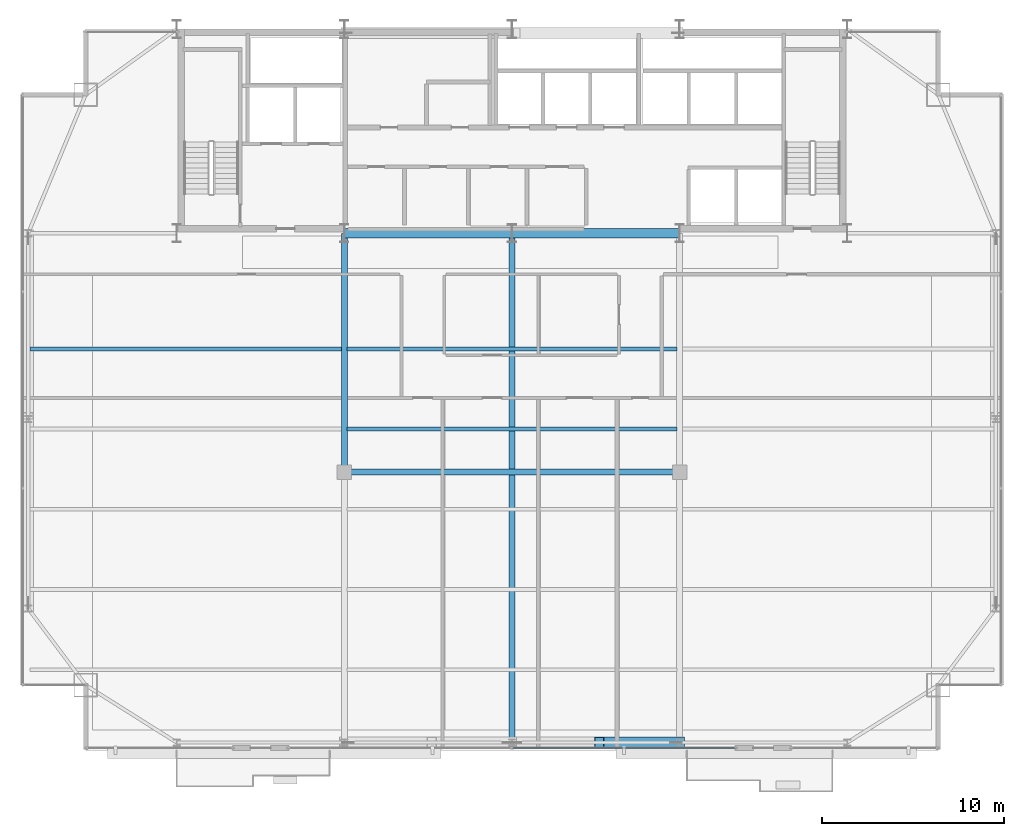
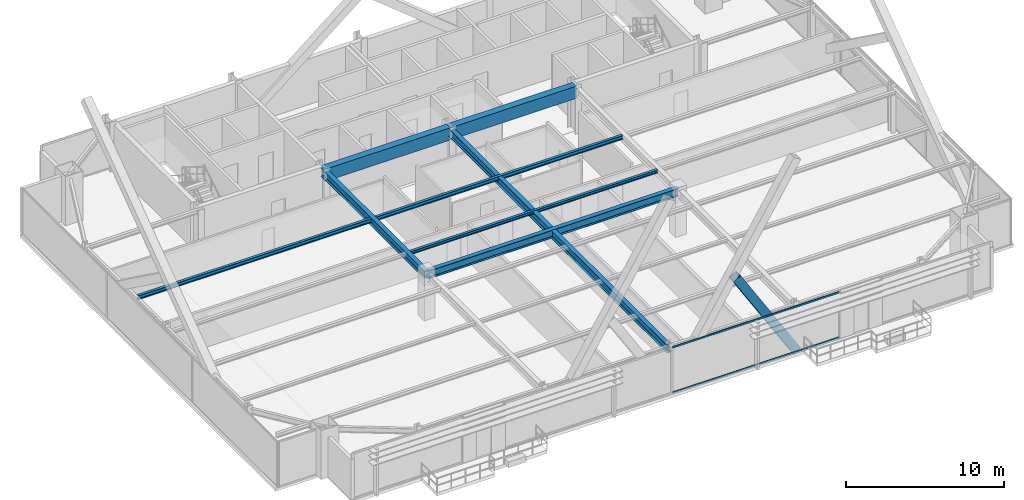
# One storey, part 13 of 34: 8 beams, 3 members, 1 element without a shape of its own.
"""IFC4 building model written with IfcOpenShell, lengths in metres."""

import ifcopenshell
import ifcopenshell.guid

model = None  # the IFC model being written
_history = None  # IfcOwnerHistory: only IFC2X3 demands one
_inside = {}  # id of a spatial element -> (the spatial element, [elements in it])
_under = {}  # id of a project, library or spatial element -> (it, [spatial elements below it])
_declared = {}  # id of a project -> (the project, [libraries it declares])
_typed = {}  # id of a type object -> (the type object, [elements of that type])
_made_of = {}  # id of a material, layer set ... -> (it, [elements and type objects made of it])


def new_model(schema):
    """Start an empty IFC model of exactly this schema.

    Asked for "IFC4X3", IfcOpenShell would pick the latest addendum, in which some entities
    have other attributes; the version numbers below select the first issue.
    IFC2X3 requires an IfcOwnerHistory on every rooted entity: one is made here for all.
    """
    global model, _history
    if schema == "IFC4X3":
        model = ifcopenshell.file(schema_version=(4, 3, 0, 0))
    else:
        model = ifcopenshell.file(schema=schema)
    _inside.clear()
    _under.clear()
    _declared.clear()
    _typed.clear()
    _made_of.clear()
    _history = None
    if model.schema == "IFC2X3":
        org = make("IfcOrganization", Name="unknown")
        user = make(
            "IfcPersonAndOrganization",
            ThePerson=make("IfcPerson", FamilyName="unknown"),
            TheOrganization=org,
        )
        app = make(
            "IfcApplication",
            ApplicationDeveloper=org,
            Version="unknown",
            ApplicationFullName="unknown",
            ApplicationIdentifier="unknown",
        )
        _history = make(
            "IfcOwnerHistory",
            OwningUser=user,
            OwningApplication=app,
            ChangeAction="ADDED",
            CreationDate=0,
        )
    return model


def make(cls, **values):
    """One entity of the class cls with the attributes given. An attribute that is None is left unset."""
    return model.create_entity(
        cls, **{name: value for name, value in values.items() if value is not None}
    )


def rooted(cls, **values):
    """An entity with a GlobalId (a new one), such as an element, a storey or a relation."""
    return make(cls, GlobalId=ifcopenshell.guid.new(), OwnerHistory=_history, **values)


def si_unit(unit_type, name, prefix=None):
    """IfcSIUnit, for example si_unit("LENGTHUNIT", "METRE", prefix="MILLI")."""
    return make("IfcSIUnit", UnitType=unit_type, Prefix=prefix, Name=name)


def assignment(units):
    """IfcUnitAssignment: the units of a project."""
    return None if units is None else make("IfcUnitAssignment", Units=units)


def point(xyz):
    """IfcCartesianPoint."""
    return None if xyz is None else make("IfcCartesianPoint", Coordinates=xyz)


def direction(xyz):
    """IfcDirection."""
    return None if xyz is None else make("IfcDirection", DirectionRatios=xyz)


def frame(location, z_axis=None, x_axis=None):
    """IfcAxis2Placement3D, a coordinate frame: its origin and axes. An axis left out is left unset."""
    return make(
        "IfcAxis2Placement3D",
        Location=point(location),
        Axis=direction(z_axis),
        RefDirection=direction(x_axis),
    )


def frame_2d(location, x_axis=None):
    """IfcAxis2Placement2D, a coordinate frame in the plane: its origin and x axis."""
    return make(
        "IfcAxis2Placement2D", Location=point(location), RefDirection=direction(x_axis)
    )


def origin():
    """The frame at (0, 0, 0) with its axes left unset."""
    return frame((0.0, 0.0, 0.0))


def origin_2d():
    """The frame at (0, 0) in the plane with its x axis left unset."""
    return frame_2d((0.0, 0.0))


def place(relative_to, where):
    """IfcLocalPlacement: puts the frame where relative to a parent placement (None: the world)."""
    return make(
        "IfcLocalPlacement", PlacementRelTo=relative_to, RelativePlacement=where
    )


def context(
    kind, dimensions, precision=None, world=None, true_north=None, identifier=None
):
    """IfcGeometricRepresentationContext, for example the 3D "Model" context."""
    return make(
        "IfcGeometricRepresentationContext",
        ContextIdentifier=identifier,
        ContextType=kind,
        CoordinateSpaceDimension=dimensions,
        Precision=precision,
        WorldCoordinateSystem=world,
        TrueNorth=true_north,
    )


def subcontext(parent, identifier, kind, view, scale=None):
    """IfcGeometricRepresentationSubContext, for example "Body" below "Model"."""
    return make(
        "IfcGeometricRepresentationSubContext",
        ContextIdentifier=identifier,
        ContextType=kind,
        ParentContext=parent,
        TargetScale=scale,
        TargetView=view,
    )


def project(units=None, contexts=None):
    """IfcProject with its units and contexts."""
    return rooted(
        "IfcProject",
        Name="project",
        RepresentationContexts=contexts,
        UnitsInContext=assignment(units),
    )


def spatial(cls, under=None, at=None, **own):
    """A site, building, storey or space (cls), placed at a placement, below another one or the project."""
    s = rooted(cls, ObjectPlacement=at, **own)
    if under is not None:
        _under.setdefault(under.id(), (under, []))[1].append(s)
    return s


def profile(cls, at=None, kind="AREA", **sizes):
    """A parametric profile (cls). Its sizes go by their IFC names, for example OverallWidth=200.0."""
    return make(cls, ProfileType=kind, Position=at, **sizes)


def rectangle(**sizes):
    """IfcRectangleProfileDef."""
    return profile("IfcRectangleProfileDef", **sizes)


def hollow_rectangle(**sizes):
    """IfcRectangleHollowProfileDef."""
    return profile("IfcRectangleHollowProfileDef", **sizes)


def i_section(**sizes):
    """IfcIShapeProfileDef."""
    return profile("IfcIShapeProfileDef", **sizes)


def extrude(swept, where, along, depth):
    """IfcExtrudedAreaSolid: the profile swept, set in the frame where, extruded along a direction by depth."""
    return make(
        "IfcExtrudedAreaSolid",
        SweptArea=swept,
        Position=where,
        ExtrudedDirection=direction(along),
        Depth=depth,
    )


def shape(context_of_items, identifier, shape_type, items):
    """IfcShapeRepresentation: the items that make up one representation, for example the "Body"."""
    return make(
        "IfcShapeRepresentation",
        ContextOfItems=context_of_items,
        RepresentationIdentifier=identifier,
        RepresentationType=shape_type,
        Items=items,
    )


def source(mapping_origin, context_of_items, identifier, shape_type, items):
    """IfcRepresentationMap: a shape defined once, which mapped items show again and again."""
    return make(
        "IfcRepresentationMap",
        MappingOrigin=mapping_origin,
        MappedRepresentation=shape(context_of_items, identifier, shape_type, items),
    )


def transform(
    local_origin,
    x_axis=None,
    y_axis=None,
    z_axis=None,
    scale=None,
    scale2=None,
    scale3=None,
    uniform=True,
):
    """IfcCartesianTransformationOperator3D, or its non-uniform kind. x_axis, y_axis, z_axis: its Axis1, 2, 3."""
    if uniform:
        return make(
            "IfcCartesianTransformationOperator3D",
            Axis1=direction(x_axis),
            Axis2=direction(y_axis),
            LocalOrigin=point(local_origin),
            Scale=scale,
            Axis3=direction(z_axis),
        )
    return make(
        "IfcCartesianTransformationOperator3DnonUniform",
        Axis1=direction(x_axis),
        Axis2=direction(y_axis),
        LocalOrigin=point(local_origin),
        Scale=scale,
        Axis3=direction(z_axis),
        Scale2=scale2,
        Scale3=scale3,
    )


def mapped(mapping_source, mapping_target):
    """IfcMappedItem: shows the shape of a source again, moved by a transform."""
    return make(
        "IfcMappedItem", MappingSource=mapping_source, MappingTarget=mapping_target
    )


def material(Name=None, Category=None):
    """IfcMaterial."""
    return make("IfcMaterial", Name=Name, Category=Category)


def layer(
    of_material, thickness, ventilated=None, Name=None, Category=None, Priority=None
):
    """IfcMaterialLayer: one layer of a wall or slab, of a material (None: an air gap)."""
    return make(
        "IfcMaterialLayer",
        Material=of_material,
        LayerThickness=thickness,
        IsVentilated=ventilated,
        Name=Name,
        Category=Category,
        Priority=Priority,
    )


def layer_set(layers, Name=None):
    """IfcMaterialLayerSet."""
    return make("IfcMaterialLayerSet", MaterialLayers=layers, LayerSetName=Name)


def material_profile(
    of_material, cross_section, Name=None, Category=None, Priority=None
):
    """IfcMaterialProfile: a cross section and its material."""
    return make(
        "IfcMaterialProfile",
        Name=Name,
        Material=of_material,
        Profile=cross_section,
        Priority=Priority,
        Category=Category,
    )


def profile_set(profiles, Name=None, composite=None):
    """IfcMaterialProfileSet."""
    return make(
        "IfcMaterialProfileSet",
        Name=Name,
        MaterialProfiles=profiles,
        CompositeProfile=composite,
    )


def made_of(thing, what):
    """Note that an element or type object is made of a material, layer set ...; save() writes the relation."""
    if what is not None:
        _made_of.setdefault(what.id(), (what, []))[1].append(thing)
    return thing


def type_object(cls, material=None, **own):
    """A type object (cls), such as IfcWallType, which elements share."""
    return made_of(rooted(cls, **own), material)


def type_shapes(of_type, sources):
    """Give a type object the sources (RepresentationMaps) that its elements show as mapped items."""
    of_type.RepresentationMaps = sources


def element(
    cls,
    number,
    at=None,
    inside=None,
    cuts=None,
    type_object=None,
    material=None,
    context=None,
    identifier="Body",
    shape_type=None,
    held_by="IfcProductDefinitionShape",
    body=None,
    shapes=None,
    **own,
):
    """One element of the class cls, such as IfcWall. Its Tag is "e" and its number.

    at: its placement. inside: the storey or other place that contains it. cuts: it is an
    opening in that element (IfcRelVoidsElement). A single representation is given by context,
    identifier, shape_type and body (its items); several are given by shapes. held_by: the class
    of the entity that holds the representations. save() writes the other relations.
    """
    e = rooted(cls, Tag="e%d" % number, ObjectPlacement=at, **own)
    if body is not None:
        shapes = [shape(context, identifier, shape_type, body)]
    if shapes is not None:
        e.Representation = make(held_by, Representations=shapes)
    if inside is not None:
        _inside.setdefault(inside.id(), (inside, []))[1].append(e)
    if cuts is not None:
        rooted(
            "IfcRelVoidsElement", RelatingBuildingElement=cuts, RelatedOpeningElement=e
        )
    if type_object is not None:
        _typed.setdefault(type_object.id(), (type_object, []))[1].append(e)
    return made_of(e, material)


def aggregate(whole, parts):
    """IfcRelAggregates: a whole, such as a stair, and the parts it consists of."""
    return rooted("IfcRelAggregates", RelatingObject=whole, RelatedObjects=parts)


def save(model, path):
    """Write the relations noted so far, then the file.

    IfcRelAggregates (storeys below a building ...), IfcRelContainedInSpatialStructure (elements
    in a storey), IfcRelDefinesByType, IfcRelAssociatesMaterial and IfcRelDeclares: one each for
    every whole, place, type object, material and project.
    """
    for whole, parts in _under.values():
        aggregate(whole, parts)
    for where, things in _inside.values():
        rooted(
            "IfcRelContainedInSpatialStructure",
            RelatedElements=things,
            RelatingStructure=where,
        )
    for kind, things in _typed.values():
        rooted("IfcRelDefinesByType", RelatedObjects=things, RelatingType=kind)
    for what, things in _made_of.values():
        rooted("IfcRelAssociatesMaterial", RelatedObjects=things, RelatingMaterial=what)
    for by, libraries in _declared.values():
        rooted("IfcRelDeclares", RelatingContext=by, RelatedDefinitions=libraries)
    model.write(path)


model = new_model("IFC4")

# Units and contexts
model_context = context("Model", 3, precision=1e-05, world=origin(), true_north=direction((0.0, 1.0)))
body_context = subcontext(model_context, "Body", "Model", "MODEL_VIEW")
ifc_project = project(units=[si_unit("LENGTHUNIT", "METRE"), si_unit("AREAUNIT", "SQUARE_METRE"), si_unit("VOLUMEUNIT", "CUBIC_METRE"), si_unit("PLANEANGLEUNIT", "RADIAN"), si_unit("MASSUNIT", "GRAM", prefix="KILO")], contexts=[model_context])

# Site, building, storey
site_placement = place(None, origin())
site = spatial("IfcSite", under=ifc_project, at=site_placement, CompositionType="ELEMENT")
building_placement = place(site_placement, origin())
building = spatial("IfcBuilding", under=site, at=building_placement, Name="Varnel Quay Broadcast Tower", CompositionType="ELEMENT")
storey_placement = place(building_placement, frame((0.0, 0.0, 161.0)))
storey = spatial("IfcBuildingStorey", under=building, at=storey_placement, Name="L39", CompositionType="ELEMENT", Elevation=161.0)

# Beams
ifc_material_1 = material(Name="Structural Steel CSA G40.21 350W", Category="steel")
ifc_material_profile_1 = material_profile(ifc_material_1, i_section(OverallWidth=0.324951171875, OverallDepth=0.615966796875, WebThickness=0.013916015625, FlangeThickness=0.021484375, FilletRadius=0.01611328125, at=origin_2d()), Name="W610X174")
ifc_profile_set_1 = profile_set([ifc_material_profile_1], Name="Structural Steel CSA G40.21 350W")
beam_type_1 = type_object("IfcBeamType", Name="Girder_W610X174", PredefinedType="BEAM", material=ifc_profile_set_1)
shared_shape_1 = source(origin(), body_context, "Body", "SweptSolid", [
    extrude(i_section(OverallWidth=0.324951171875, OverallDepth=0.615966796875, WebThickness=0.013916015625, FlangeThickness=0.021484375, FilletRadius=0.01611328125, at=origin_2d()), origin(), (0.0, 0.0, 1.0), 13.070068359375),
])
beam_1_placement = place(storey_placement, frame((24.800048828125, 22.510009765625, 3.241943359375), z_axis=(0.0, 1.0, 0.0), x_axis=(-1.0, 0.0, 0.0)))
element("IfcBeam", 1, at=beam_1_placement, inside=storey, type_object=beam_type_1, Name="L39 Primary Girder IC-01-CC-S2", PredefinedType="BEAM", context=body_context, shape_type="MappedRepresentation", body=[
    mapped(shared_shape_1, transform((0.0, 0.0, 0.0), x_axis=(1.0, 0.0, 0.0), y_axis=(0.0, 1.0, 0.0), z_axis=(0.0, 0.0, 1.0), scale=1.0)),
])
shared_shape_2 = source(origin(), body_context, "Body", "SweptSolid", [
    extrude(i_section(OverallWidth=0.324951171875, OverallDepth=0.615966796875, WebThickness=0.013916015625, FlangeThickness=0.021484375, FilletRadius=0.01611328125, at=origin_2d()), origin(), (0.0, 0.0, 1.0), 18.35986328125),
])
beam_2_placement = place(storey_placement, frame((24.820068359375, 22.489990234375, 3.241943359375), z_axis=(1.0, 0.0, 0.0), x_axis=(0.0, 1.0, 0.0)))
element("IfcBeam", 2, at=beam_2_placement, inside=storey, type_object=beam_type_1, Name="L39 Interior Spine Girder", PredefinedType="BEAM", context=body_context, shape_type="MappedRepresentation", body=[
    mapped(shared_shape_2, transform((0.0, 0.0, 0.0), x_axis=(1.0, 0.0, 0.0), y_axis=(0.0, 1.0, 0.0), z_axis=(0.0, 0.0, 1.0), scale=1.0)),
])
shared_shape_3 = source(origin(), body_context, "Body", "SweptSolid", [
    extrude(i_section(OverallWidth=0.324951171875, OverallDepth=0.615966796875, WebThickness=0.013916015625, FlangeThickness=0.021484375, FilletRadius=0.01611328125, at=origin_2d()), origin(), (0.0, 0.0, 1.0), 27.91015625),
])
type_shapes(beam_type_1, [shared_shape_1, shared_shape_2, shared_shape_3])
beam_3_placement = place(storey_placement, frame((34.0, 7.669921875, 3.241943359375), z_axis=(0.0, 1.0, 0.0), x_axis=(-1.0, 0.0, 0.0)))
element("IfcBeam", 3, at=beam_3_placement, inside=storey, type_object=beam_type_1, Name="L39 Central Bay Girder", PredefinedType="BEAM", context=body_context, shape_type="MappedRepresentation", body=[
    mapped(shared_shape_3, transform((0.0, 0.0, 0.0), x_axis=(1.0, 0.0, 0.0), y_axis=(0.0, 1.0, 0.0), z_axis=(0.0, 0.0, 1.0), scale=1.0)),
])
ifc_material_2 = material(Name="Concrete CSA A23.3 C50/60", Category="concrete")
ifc_material_profile_2 = material_profile(ifc_material_2, rectangle(XDim=0.5, YDim=0.949951171875, at=origin_2d()), Name="RC500X950")
ifc_profile_set_2 = profile_set([ifc_material_profile_2], Name="Concrete CSA A23.3 C50/60")
beam_type_2 = type_object("IfcBeamType", Name="Beam_RC500X950", PredefinedType="BEAM", material=ifc_profile_set_2)
shared_shape_4 = source(origin(), body_context, "Body", "SweptSolid", [
    extrude(rectangle(XDim=0.5, YDim=0.949951171875, at=origin_2d()), origin(), (0.0, 0.0, 1.0), 9.159912109375),
])
type_shapes(beam_type_2, [shared_shape_4])
for number, where, z_axis, x_axis, name in (
    (4, (24.820068359375, 35.60009765625, 3.074951171875), (1.0, 0.0, 0.0), (0.0, 1.0, 0.0), "L39 Core Coupling Beam W"),
    (5, (34.02001953125, 35.60009765625, 3.074951171875), (1.0, 0.0, 0.0), (0.0, 1.0, 0.0), "L39 Core Coupling Beam E"),
):
    element("IfcBeam", number, at=place(storey_placement, frame(where, z_axis=z_axis, x_axis=x_axis)), inside=storey, type_object=beam_type_2, Name=name, PredefinedType="BEAM", context=body_context, shape_type="MappedRepresentation", body=[
        mapped(shared_shape_4, transform((0.0, 0.0, 0.0), x_axis=(1.0, 0.0, 0.0), y_axis=(0.0, 1.0, 0.0), z_axis=(0.0, 0.0, 1.0), scale=1.0)),
    ])
ifc_material_profile_3 = material_profile(ifc_material_1, i_section(OverallWidth=0.202880859375, OverallDepth=0.302978515625, WebThickness=0.007568359375, FlangeThickness=0.01318359375, FilletRadius=0.011962890625, at=origin_2d()), Name="W310X60")
ifc_profile_set_3 = profile_set([ifc_material_profile_3], Name="Structural Steel CSA G40.21 350W")
beam_type_3 = type_object("IfcBeamType", Name="Beam_W310X60", PredefinedType="JOIST", material=ifc_profile_set_3)
shared_shape_5 = source(origin(), body_context, "Body", "SweptSolid", [
    extrude(i_section(OverallWidth=0.202880859375, OverallDepth=0.302978515625, WebThickness=0.007568359375, FlangeThickness=0.01318359375, FilletRadius=0.011962890625, at=origin_2d()), origin(), (0.0, 0.0, 1.0), 17.107177734375),
])
beam_4_placement = place(storey_placement, frame((7.535400390625, 29.25, 3.3984375), z_axis=(1.0, 0.0, 0.0), x_axis=(0.0, 1.0, 0.0)))
element("IfcBeam", 6, at=beam_4_placement, inside=storey, type_object=beam_type_3, Name="L39 West Floor Joist 5", PredefinedType="JOIST", context=body_context, shape_type="MappedRepresentation", body=[
    mapped(shared_shape_5, transform((0.0, 0.0, 0.0), x_axis=(1.0, 0.0, 0.0), y_axis=(0.0, 1.0, 0.0), z_axis=(0.0, 0.0, 1.0), scale=1.0)),
])
shared_shape_6 = source(origin(), body_context, "Body", "SweptSolid", [
    extrude(i_section(OverallWidth=0.202880859375, OverallDepth=0.302978515625, WebThickness=0.007568359375, FlangeThickness=0.01318359375, FilletRadius=0.011962890625, at=origin_2d()), origin(), (0.0, 0.0, 1.0), 18.0849609375),
])
type_shapes(beam_type_3, [shared_shape_5, shared_shape_6])
beam_5_placement = place(storey_placement, frame((24.95751953125, 29.25, 3.3984375), z_axis=(1.0, 0.0, 0.0), x_axis=(0.0, 1.0, 0.0)))
element("IfcBeam", 7, at=beam_5_placement, inside=storey, type_object=beam_type_3, Name="L39 Central Floor Joist 5", PredefinedType="JOIST", context=body_context, shape_type="MappedRepresentation", body=[
    mapped(shared_shape_6, transform((0.0, 0.0, 0.0), x_axis=(1.0, 0.0, 0.0), y_axis=(0.0, 1.0, 0.0), z_axis=(0.0, 0.0, 1.0), scale=1.0)),
])
ifc_material_profile_4 = material_profile(ifc_material_1, i_section(OverallWidth=0.201904296875, OverallDepth=0.2470703125, WebThickness=0.00732421875, FlangeThickness=0.010986328125, FilletRadius=0.010986328125, at=origin_2d()), Name="W250X49")
ifc_profile_set_4 = profile_set([ifc_material_profile_4], Name="Structural Steel CSA G40.21 350W")
beam_type_4 = type_object("IfcBeamType", Name="Beam_W250X49", PredefinedType="JOIST", material=ifc_profile_set_4)
shared_shape_7 = source(origin(), body_context, "Body", "SweptSolid", [
    extrude(i_section(OverallWidth=0.201904296875, OverallDepth=0.2470703125, WebThickness=0.00732421875, FlangeThickness=0.010986328125, FilletRadius=0.010986328125, at=origin_2d()), origin(), (0.0, 0.0, 1.0), 18.0849609375),
])
type_shapes(beam_type_4, [shared_shape_7])
beam_6_placement = place(storey_placement, frame((24.95751953125, 24.85009765625, 3.426513671875), z_axis=(1.0, 0.0, 0.0), x_axis=(0.0, 1.0, 0.0)))
element("IfcBeam", 8, at=beam_6_placement, inside=storey, type_object=beam_type_4, Name="L39 Central Floor Joist 4", PredefinedType="JOIST", context=body_context, shape_type="MappedRepresentation", body=[
    mapped(shared_shape_7, transform((0.0, 0.0, 0.0), x_axis=(1.0, 0.0, 0.0), y_axis=(0.0, 1.0, 0.0), z_axis=(0.0, 0.0, 1.0), scale=1.0)),
])

# Member
ifc_material_3 = material(Name="Structural Steel CSA G40.21 350WT", Category="steel")
ifc_material_profile_5 = material_profile(ifc_material_3, hollow_rectangle(XDim=0.60009765625, YDim=0.60009765625, WallThickness=0.028076171875, at=origin_2d()), Name="BOX600X600X28")
ifc_profile_set_5 = profile_set([ifc_material_profile_5], Name="Structural Steel CSA G40.21 350WT")
member_type_1 = type_object("IfcMemberType", Name="Brace_BOX600X600X28", PredefinedType="BRACE", material=ifc_profile_set_5)
shared_shape_8 = source(origin(), body_context, "Body", "SweptSolid", [
    extrude(hollow_rectangle(XDim=0.60009765625, YDim=0.60009765625, WallThickness=0.028076171875, at=origin_2d()), origin(), (0.0, 0.0, 1.0), 8.399169921875),
])
type_shapes(member_type_1, [shared_shape_8])
member_1_placement = place(storey_placement, frame((43.199951171875, 7.64990234375, 0.02001953125), z_axis=(-0.525125243666, 0.0, 0.851024957604), x_axis=(0.0, -1.0, 0.0)))
element("IfcMember", 9, at=member_1_placement, inside=storey, type_object=member_type_1, Name="Zone 3 Mega-Brace S-C2T2 Split Diag B1", PredefinedType="BRACE", context=body_context, shape_type="MappedRepresentation", body=[
    mapped(shared_shape_8, transform((0.0, 0.0, 0.0), x_axis=(1.0, 0.0, 0.0), y_axis=(0.0, 1.0, 0.0), z_axis=(0.0, 0.0, 1.0), scale=1.0)),
])

# Curtain wall, members
ifc_material_4 = material(Name="Anodised Bronze Aluminium 6063-T6", Category="aluminium")
ifc_layer = layer(ifc_material_4, 0.18994140625, Name="Anodised Bronze Aluminium 6063-T6")
ifc_layer_set = layer_set([ifc_layer], Name="Anodised Bronze Aluminium 6063-T6")
curtain_wall_type = type_object("IfcCurtainWallType", Name="CW_UpperTower", PredefinedType="NOTDEFINED", material=ifc_layer_set)
curtain_wall_placement = place(storey_placement, origin())
curtain_wall = element("IfcCurtainWall", 10, at=curtain_wall_placement, inside=storey, type_object=curtain_wall_type, Name="L39 South Unitised Curtain Wall 2", PredefinedType="NOTDEFINED")
ifc_material_profile_6 = material_profile(ifc_material_4, hollow_rectangle(XDim=0.06005859375, YDim=0.125, WallThickness=0.0029296875, at=origin_2d()), Name="ALU60X125X3")
ifc_profile_set_6 = profile_set([ifc_material_profile_6], Name="Anodised Bronze Aluminium 6063-T6")
member_type_2 = type_object("IfcMemberType", Name="Tran_CWS-03", PredefinedType="USERDEFINED", material=ifc_profile_set_6)
shared_shape_9 = source(origin(), body_context, "Body", "SweptSolid", [
    extrude(hollow_rectangle(XDim=0.06005859375, YDim=0.125, WallThickness=0.0029296875, at=origin_2d()), origin(), (0.0, 0.0, 1.0), 12.222412109375),
])
type_shapes(member_type_2, [shared_shape_9])
member_2_placement = place(storey_placement, frame((34.032470703125, 7.35009765625, 0.030029296875), z_axis=(1.0, 0.0, 0.0), x_axis=(0.0, 1.0, 0.0)))
member_2 = element("IfcMember", 11, at=member_2_placement, type_object=member_type_2, Name="CWS-03 transom 2.1", ObjectType="TRANSOM", PredefinedType="USERDEFINED", context=body_context, shape_type="MappedRepresentation", body=[
    mapped(shared_shape_9, transform((0.0, 0.0, 0.0), x_axis=(1.0, 0.0, 0.0), y_axis=(0.0, 1.0, 0.0), z_axis=(0.0, 0.0, 1.0), scale=1.0)),
])
member_3_placement = place(storey_placement, frame((34.032470703125, 7.35009765625, 3.52001953125), z_axis=(1.0, 0.0, 0.0), x_axis=(0.0, 1.0, 0.0)))
member_3 = element("IfcMember", 12, at=member_3_placement, type_object=member_type_2, Name="CWS-03 transom 2.2", ObjectType="TRANSOM", PredefinedType="USERDEFINED", context=body_context, shape_type="MappedRepresentation", body=[
    mapped(shared_shape_9, transform((0.0, 0.0, 0.0), x_axis=(1.0, 0.0, 0.0), y_axis=(0.0, 1.0, 0.0), z_axis=(0.0, 0.0, 1.0), scale=1.0)),
])
aggregate(curtain_wall, [member_2, member_3])

save(model, "model.ifc")
